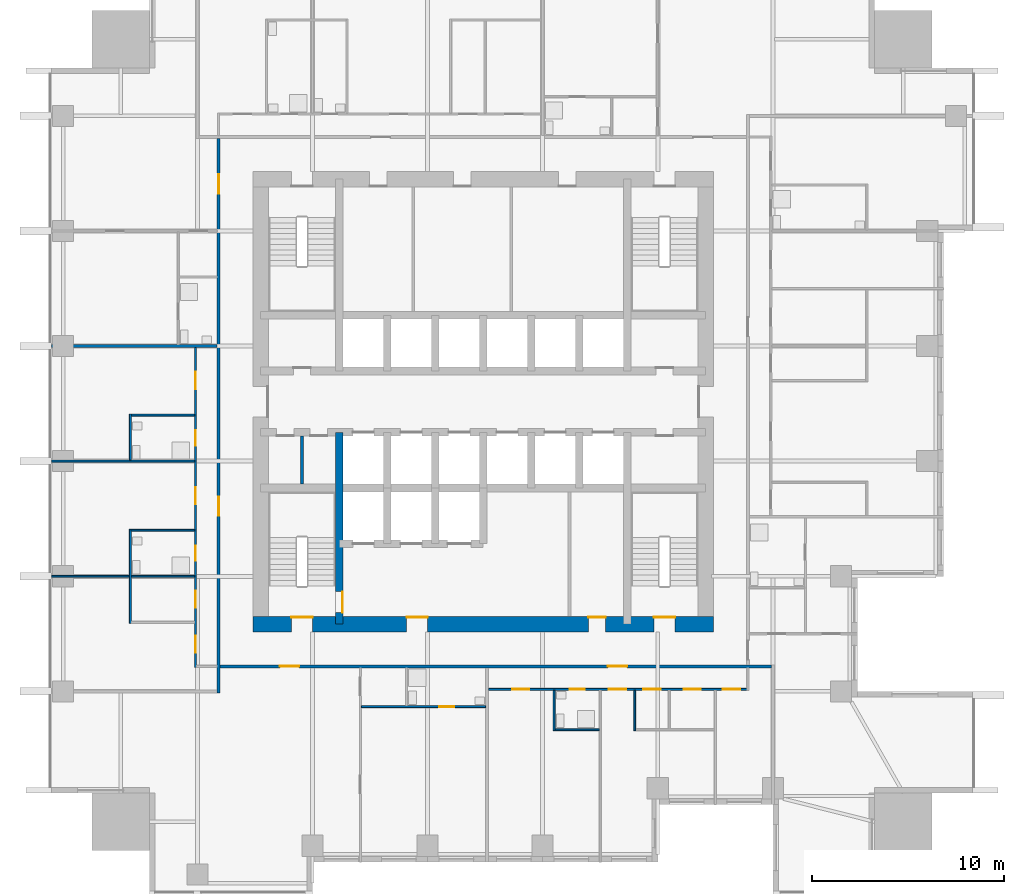
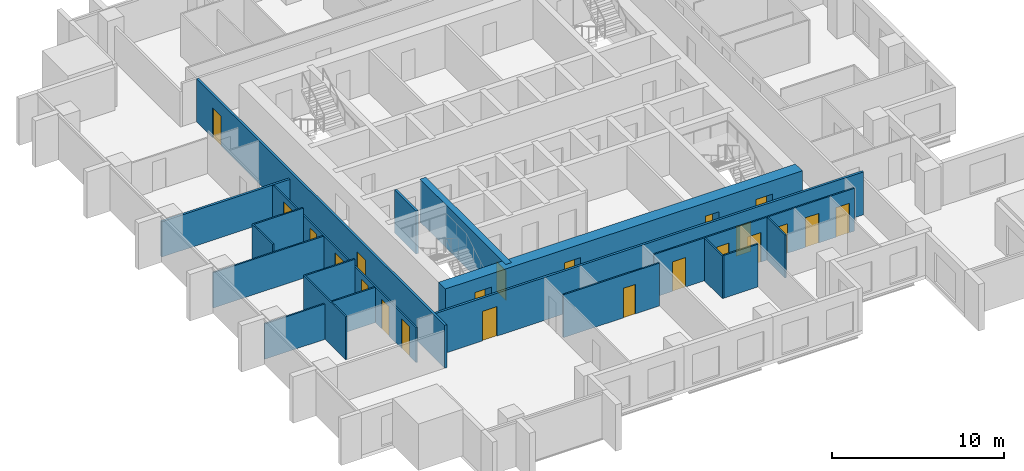
# One storey, part 4 of 10: 22 doors, 18 walls, 22 openings.
"""IFC4 building model written with IfcOpenShell, lengths in metres."""

from ifc_helpers import new_model, si_unit, direction, frame, frame_2d, origin, place, context, subcontext, project, spatial, rectangle, extrude, material, layer, layer_set, type_object, element, fill, save


model = new_model("IFC4")

# Units and contexts
model_context = context("Model", 3, precision=1e-05, world=origin(), true_north=direction((0.0, 1.0)))
body_context = subcontext(model_context, "Body", "Model", "MODEL_VIEW")
ifc_project = project(units=[si_unit("LENGTHUNIT", "METRE"), si_unit("AREAUNIT", "SQUARE_METRE"), si_unit("VOLUMEUNIT", "CUBIC_METRE"), si_unit("PLANEANGLEUNIT", "RADIAN"), si_unit("MASSUNIT", "GRAM", prefix="KILO")], contexts=[model_context])

# Site, building, storey
site_placement = place(None, origin())
site = spatial("IfcSite", under=ifc_project, at=site_placement, CompositionType="ELEMENT")
building_placement = place(site_placement, origin())
building = spatial("IfcBuilding", under=site, at=building_placement, Name="Amberfall Residences", CompositionType="ELEMENT")
storey_placement = place(building_placement, frame((0.0, 0.0, 82.0)))
storey = spatial("IfcBuildingStorey", under=building, at=storey_placement, Name="L21", CompositionType="ELEMENT", Elevation=82.0)

# Wall, opening, door
ifc_material_1 = material(Name="Concrete C70", Category="concrete")
ifc_layer_1 = layer(ifc_material_1, 0.39990234375)
ifc_layer_set_1 = layer_set([ifc_layer_1], Name="Core wall 400 C70")
wall_type_1 = type_object("IfcWallType", Name="Core wall 400 C70", PredefinedType="SHEAR", material=ifc_layer_set_1)
wall_1_placement = place(storey_placement, frame((67.0, 33.89990234375, 0.0), z_axis=(0.0, 0.0, 1.0), x_axis=(0.0, 1.0, 0.0)))
wall_1 = element("IfcWall", 1, at=wall_1_placement, inside=storey, type_object=wall_type_1, Name="Core wall RW4 L21 V45S", PredefinedType="SHEAR", context=body_context, shape_type="SweptSolid", body=[
    extrude(rectangle(XDim=10.0, YDim=0.39990234375, at=frame_2d((5.0, 0.0))), origin(), (0.0, 0.0, 1.0), 3.050048828125),
])
opening_1_placement = place(wall_1_placement, frame((0.60009765625, 0.0, 0.0)))
opening_1 = element("IfcOpeningElement", 2, at=opening_1_placement, cuts=wall_1, Name="Opening FL1", PredefinedType="OPENING", context=body_context, shape_type="SweptSolid", body=[
    extrude(rectangle(XDim=1.10009765625, YDim=2.10009765625, at=frame_2d((0.550048828125, 1.050048828125))), frame((0.0, 0.2099609375, 0.0), z_axis=(0.0, -1.0, 0.0), x_axis=(1.0, 0.0, 0.0)), (0.0, 0.0, 1.0), 0.419921875),
])
ifc_material_2 = material(Name="Steel fire door set", Category="steel")
door_type_1 = type_object("IfcDoorType", Name="Firefighting lobby door 1100 x 2100", OperationType="SINGLE_SWING_LEFT", PredefinedType="DOOR", material=ifc_material_2)
door_1_placement = place(opening_1_placement, origin())
door_1 = element("IfcDoor", 3, at=door_1_placement, inside=storey, type_object=door_type_1, Name="FL1 L21", OperationType="SINGLE_SWING_RIGHT", OverallHeight=2.10009765625, OverallWidth=1.10009765625, PredefinedType="DOOR", context=body_context, shape_type="SweptSolid", body=[
    extrude(rectangle(XDim=1.10009765625, YDim=2.10009765625, at=frame_2d((0.550048828125, 1.050048828125))), frame((0.0, -0.1376953125, 0.0), z_axis=(0.0, -1.0, 0.0), x_axis=(1.0, 0.0, 0.0)), (0.0, 0.0, 1.0), 0.050048828125),
])
fill(opening_1, door_1)

# Wall, openings, doors
ifc_layer_2 = layer(ifc_material_1, 0.800048828125)
ifc_layer_set_2 = layer_set([ifc_layer_2], Name="Core wall 800 C70")
wall_type_2 = type_object("IfcWallType", Name="Core wall 800 C70", PredefinedType="SHEAR", material=ifc_layer_set_2)
wall_2_placement = place(storey_placement, frame((62.5, 33.89990234375, 0.0), z_axis=(0.0, 0.0, 1.0), x_axis=(1.0, 0.0, 0.0)))
wall_2 = element("IfcWall", 4, at=wall_2_placement, inside=storey, type_object=wall_type_2, Name="Core wall RW3 L21 OS", PredefinedType="SHEAR", context=body_context, shape_type="SweptSolid", body=[
    extrude(rectangle(XDim=24.0, YDim=0.800048828125, at=frame_2d((12.0, 0.0))), origin(), (0.0, 0.0, 1.0), 3.050048828125),
])
opening_2_placement = place(wall_2_placement, frame((2.0, 0.0, 0.0)))
opening_2 = element("IfcOpeningElement", 5, at=opening_2_placement, cuts=wall_2, Name="Opening SD1", PredefinedType="OPENING", context=body_context, shape_type="SweptSolid", body=[
    extrude(rectangle(XDim=1.10009765625, YDim=2.10009765625, at=frame_2d((0.550048828125, 1.050048828125))), frame((0.0, 0.409912109375, 0.0), z_axis=(0.0, -1.0, 0.0), x_axis=(1.0, 0.0, 0.0)), (0.0, 0.0, 1.0), 0.820068359375),
])
opening_3_placement = place(wall_2_placement, frame((20.89990234375, 0.0, 0.0)))
opening_3 = element("IfcOpeningElement", 6, at=opening_3_placement, cuts=wall_2, Name="Opening SD1", PredefinedType="OPENING", context=body_context, shape_type="SweptSolid", body=[
    extrude(rectangle(XDim=1.10009765625, YDim=2.10009765625, at=frame_2d((0.550048828125, 1.050048828125))), frame((0.0, 0.409912109375, 0.0), z_axis=(0.0, -1.0, 0.0), x_axis=(1.0, 0.0, 0.0)), (0.0, 0.0, 1.0), 0.820068359375),
])
opening_4_placement = place(wall_2_placement, frame((8.0, 0.0, 0.0)))
opening_4 = element("IfcOpeningElement", 7, at=opening_4_placement, cuts=wall_2, Name="Opening FL1", PredefinedType="OPENING", context=body_context, shape_type="SweptSolid", body=[
    extrude(rectangle(XDim=1.10009765625, YDim=2.10009765625, at=frame_2d((0.550048828125, 1.050048828125))), frame((0.0, 0.409912109375, 0.0), z_axis=(0.0, -1.0, 0.0), x_axis=(1.0, 0.0, 0.0)), (0.0, 0.0, 1.0), 0.820068359375),
])
opening_5_placement = place(wall_2_placement, frame((17.487548828125, 0.0, 0.0)))
opening_5 = element("IfcOpeningElement", 8, at=opening_5_placement, cuts=wall_2, Name="Opening RD1", PredefinedType="OPENING", context=body_context, shape_type="SweptSolid", body=[
    extrude(rectangle(XDim=0.89990234375, YDim=2.10009765625, at=frame_2d((0.449951171875, 1.050048828125))), frame((0.0, 0.409912109375, 0.0), z_axis=(0.0, -1.0, 0.0), x_axis=(1.0, 0.0, 0.0)), (0.0, 0.0, 1.0), 0.820068359375),
])
door_2_placement = place(opening_4_placement, origin())
door_2 = element("IfcDoor", 9, at=door_2_placement, inside=storey, type_object=door_type_1, Name="FL1 L21", OperationType="SINGLE_SWING_LEFT", OverallHeight=2.10009765625, OverallWidth=1.10009765625, PredefinedType="DOOR", context=body_context, shape_type="SweptSolid", body=[
    extrude(rectangle(XDim=1.10009765625, YDim=2.10009765625, at=frame_2d((0.550048828125, 1.050048828125))), frame((0.0, 0.3876953125, 0.0), z_axis=(0.0, -1.0, 0.0), x_axis=(1.0, 0.0, 0.0)), (0.0, 0.0, 1.0), 0.050048828125),
])
fill(opening_4, door_2)
door_type_2 = type_object("IfcDoorType", Name="Service room door 900 x 2100", OperationType="SINGLE_SWING_LEFT", PredefinedType="DOOR", material=ifc_material_2)
door_3_placement = place(opening_5_placement, origin())
door_3 = element("IfcDoor", 10, at=door_3_placement, inside=storey, type_object=door_type_2, Name="RD1 L21", OperationType="SINGLE_SWING_LEFT", OverallHeight=2.10009765625, OverallWidth=0.89990234375, PredefinedType="DOOR", context=body_context, shape_type="SweptSolid", body=[
    extrude(rectangle(XDim=0.89990234375, YDim=2.10009765625, at=frame_2d((0.449951171875, 1.050048828125))), frame((0.0, 0.3876953125, 0.0), z_axis=(0.0, -1.0, 0.0), x_axis=(1.0, 0.0, 0.0)), (0.0, 0.0, 1.0), 0.050048828125),
])
fill(opening_5, door_3)
door_type_3 = type_object("IfcDoorType", Name="Stair door 1100 x 2100", OperationType="SINGLE_SWING_LEFT", PredefinedType="DOOR", material=ifc_material_2)
door_4_placement = place(opening_2_placement, origin())
door_4 = element("IfcDoor", 11, at=door_4_placement, inside=storey, type_object=door_type_3, Name="SD1 L21", OperationType="SINGLE_SWING_LEFT", OverallHeight=2.10009765625, OverallWidth=1.10009765625, PredefinedType="DOOR", context=body_context, shape_type="SweptSolid", body=[
    extrude(rectangle(XDim=1.10009765625, YDim=2.10009765625, at=frame_2d((0.550048828125, 1.050048828125))), frame((0.0, 0.3876953125, 0.0), z_axis=(0.0, -1.0, 0.0), x_axis=(1.0, 0.0, 0.0)), (0.0, 0.0, 1.0), 0.050048828125),
])
fill(opening_2, door_4)
door_5_placement = place(opening_3_placement, origin())
door_5 = element("IfcDoor", 12, at=door_5_placement, inside=storey, type_object=door_type_3, Name="SD1 L21", OperationType="SINGLE_SWING_RIGHT", OverallHeight=2.10009765625, OverallWidth=1.10009765625, PredefinedType="DOOR", context=body_context, shape_type="SweptSolid", body=[
    extrude(rectangle(XDim=1.10009765625, YDim=2.10009765625, at=frame_2d((0.550048828125, 1.050048828125))), frame((0.0, 0.3876953125, 0.0), z_axis=(0.0, -1.0, 0.0), x_axis=(1.0, 0.0, 0.0)), (0.0, 0.0, 1.0), 0.050048828125),
])
fill(opening_3, door_5)

# Walls
ifc_material_3 = material(Name="Gypsum board on metal stud")
ifc_layer_3 = layer(ifc_material_3, 0.10009765625)
ifc_layer_set_3 = layer_set([ifc_layer_3], Name="Flat partition 100")
wall_type_3 = type_object("IfcWallType", Name="Flat partition 100", PredefinedType="PARTITIONING", material=ifc_layer_set_3)
wall_3_placement = place(storey_placement, frame((56.10009765625, 33.949951171875, 0.0), z_axis=(0.0, 0.0, 1.0), x_axis=(0.0, 1.0, 0.0)))
element("IfcWall", 13, at=wall_3_placement, inside=storey, type_object=wall_type_3, Name="Partition 001", PredefinedType="PARTITIONING", context=body_context, shape_type="SweptSolid", body=[
    extrude(rectangle(XDim=4.900146484375, YDim=0.10009765625, at=frame_2d((2.4501953125, 0.0))), origin(), (0.0, 0.0, 1.0), 3.050048828125),
])
wall_4_placement = place(storey_placement, frame((56.10009765625, 42.449951171875, 0.0), z_axis=(0.0, 0.0, 1.0), x_axis=(0.0, 1.0, 0.0)))
element("IfcWall", 14, at=wall_4_placement, inside=storey, type_object=wall_type_3, Name="Partition 002", PredefinedType="PARTITIONING", context=body_context, shape_type="SweptSolid", body=[
    extrude(rectangle(XDim=2.400146484375, YDim=0.10009765625, at=frame_2d((1.2001953125, 0.0))), origin(), (0.0, 0.0, 1.0), 3.050048828125),
])

# Wall, openings, doors
wall_5_placement = place(storey_placement, frame((59.5, 31.64990234375, 0.0), z_axis=(0.0, 0.0, 1.0), x_axis=(0.0, 1.0, 0.0)))
wall_5 = element("IfcWall", 15, at=wall_5_placement, inside=storey, type_object=wall_type_3, Name="Partition 004", PredefinedType="PARTITIONING", context=body_context, shape_type="SweptSolid", body=[
    extrude(rectangle(XDim=16.675048828125, YDim=0.10009765625, at=frame_2d((8.33740234375, 0.0))), origin(), (0.0, 0.0, 1.0), 2.510009765625),
])
opening_6_placement = place(wall_5_placement, frame((0.75, 0.0, 0.0)))
opening_6 = element("IfcOpeningElement", 16, at=opening_6_placement, cuts=wall_5, Name="Opening D41", PredefinedType="OPENING", context=body_context, shape_type="SweptSolid", body=[
    extrude(rectangle(XDim=0.89990234375, YDim=2.10009765625, at=frame_2d((0.449951171875, 1.050048828125))), frame((0.0, 0.06005859375, 0.0), z_axis=(0.0, -1.0, 0.0), x_axis=(1.0, 0.0, 0.0)), (0.0, 0.0, 1.0), 0.1201171875),
])
opening_7_placement = place(wall_5_placement, frame((3.10009765625, 0.0, 0.0)))
opening_7 = element("IfcOpeningElement", 17, at=opening_7_placement, cuts=wall_5, Name="Opening D41", PredefinedType="OPENING", context=body_context, shape_type="SweptSolid", body=[
    extrude(rectangle(XDim=0.89990234375, YDim=2.10009765625, at=frame_2d((0.449951171875, 1.050048828125))), frame((0.0, 0.06005859375, 0.0), z_axis=(0.0, -1.0, 0.0), x_axis=(1.0, 0.0, 0.0)), (0.0, 0.0, 1.0), 0.1201171875),
])
opening_8_placement = place(wall_5_placement, frame((8.5, 0.0, 0.0)))
opening_8 = element("IfcOpeningElement", 18, at=opening_8_placement, cuts=wall_5, Name="Opening D41", PredefinedType="OPENING", context=body_context, shape_type="SweptSolid", body=[
    extrude(rectangle(XDim=0.89990234375, YDim=2.10009765625, at=frame_2d((0.449951171875, 1.050048828125))), frame((0.0, 0.06005859375, 0.0), z_axis=(0.0, -1.0, 0.0), x_axis=(1.0, 0.0, 0.0)), (0.0, 0.0, 1.0), 0.1201171875),
])
opening_9_placement = place(wall_5_placement, frame((14.5, 0.0, 0.0)))
opening_9 = element("IfcOpeningElement", 19, at=opening_9_placement, cuts=wall_5, Name="Opening D41", PredefinedType="OPENING", context=body_context, shape_type="SweptSolid", body=[
    extrude(rectangle(XDim=0.89990234375, YDim=2.10009765625, at=frame_2d((0.449951171875, 1.050048828125))), frame((0.0, 0.06005859375, 0.0), z_axis=(0.0, -1.0, 0.0), x_axis=(1.0, 0.0, 0.0)), (0.0, 0.0, 1.0), 0.1201171875),
])
opening_10_placement = place(wall_5_placement, frame((5.550048828125, 0.0, 0.0)))
opening_10 = element("IfcOpeningElement", 20, at=opening_10_placement, cuts=wall_5, Name="Opening D42", PredefinedType="OPENING", context=body_context, shape_type="SweptSolid", body=[
    extrude(rectangle(XDim=0.800048828125, YDim=2.10009765625, at=frame_2d((0.39990234375, 1.050048828125))), frame((0.0, 0.06005859375, 0.0), z_axis=(0.0, -1.0, 0.0), x_axis=(1.0, 0.0, 0.0)), (0.0, 0.0, 1.0), 0.1201171875),
])
opening_11_placement = place(wall_5_placement, frame((11.550048828125, 0.0, 0.0)))
opening_11 = element("IfcOpeningElement", 21, at=opening_11_placement, cuts=wall_5, Name="Opening D42", PredefinedType="OPENING", context=body_context, shape_type="SweptSolid", body=[
    extrude(rectangle(XDim=0.800048828125, YDim=2.10009765625, at=frame_2d((0.39990234375, 1.050048828125))), frame((0.0, 0.06005859375, 0.0), z_axis=(0.0, -1.0, 0.0), x_axis=(1.0, 0.0, 0.0)), (0.0, 0.0, 1.0), 0.1201171875),
])
ifc_material_4 = material(Name="Timber", Category="wood")
door_type_4 = type_object("IfcDoorType", Name="Bathroom door 800 x 2100", OperationType="SINGLE_SWING_LEFT", PredefinedType="DOOR", material=ifc_material_4)
door_6_placement = place(opening_10_placement, origin())
door_6 = element("IfcDoor", 22, at=door_6_placement, inside=storey, type_object=door_type_4, Name="Door 2107 bath1", OperationType="SINGLE_SWING_LEFT", OverallHeight=2.10009765625, OverallWidth=0.800048828125, PredefinedType="DOOR", context=body_context, shape_type="SweptSolid", body=[
    extrude(rectangle(XDim=0.800048828125, YDim=2.10009765625, at=frame_2d((0.39990234375, 1.050048828125))), frame((0.0, 0.02490234375, 0.0), z_axis=(0.0, -1.0, 0.0), x_axis=(1.0, 0.0, 0.0)), (0.0, 0.0, 1.0), 0.050048828125),
])
fill(opening_10, door_6)
door_7_placement = place(opening_11_placement, origin())
door_7 = element("IfcDoor", 23, at=door_7_placement, inside=storey, type_object=door_type_4, Name="Door 2107 bath2", OperationType="SINGLE_SWING_LEFT", OverallHeight=2.10009765625, OverallWidth=0.800048828125, PredefinedType="DOOR", context=body_context, shape_type="SweptSolid", body=[
    extrude(rectangle(XDim=0.800048828125, YDim=2.10009765625, at=frame_2d((0.39990234375, 1.050048828125))), frame((0.0, 0.02490234375, 0.0), z_axis=(0.0, -1.0, 0.0), x_axis=(1.0, 0.0, 0.0)), (0.0, 0.0, 1.0), 0.050048828125),
])
fill(opening_11, door_7)
door_type_5 = type_object("IfcDoorType", Name="Internal door 900 x 2100", OperationType="SINGLE_SWING_LEFT", PredefinedType="DOOR", material=ifc_material_4)
door_8_placement = place(opening_6_placement, origin())
door_8 = element("IfcDoor", 24, at=door_8_placement, inside=storey, type_object=door_type_5, Name="Door 2107 living", OperationType="SINGLE_SWING_LEFT", OverallHeight=2.10009765625, OverallWidth=0.89990234375, PredefinedType="DOOR", context=body_context, shape_type="SweptSolid", body=[
    extrude(rectangle(XDim=0.89990234375, YDim=2.10009765625, at=frame_2d((0.449951171875, 1.050048828125))), frame((0.0, 0.02490234375, 0.0), z_axis=(0.0, -1.0, 0.0), x_axis=(1.0, 0.0, 0.0)), (0.0, 0.0, 1.0), 0.050048828125),
])
fill(opening_6, door_8)
door_9_placement = place(opening_7_placement, origin())
door_9 = element("IfcDoor", 25, at=door_9_placement, inside=storey, type_object=door_type_5, Name="Door 2107 kitchen", OperationType="SINGLE_SWING_LEFT", OverallHeight=2.10009765625, OverallWidth=0.89990234375, PredefinedType="DOOR", context=body_context, shape_type="SweptSolid", body=[
    extrude(rectangle(XDim=0.89990234375, YDim=2.10009765625, at=frame_2d((0.449951171875, 1.050048828125))), frame((0.0, 0.02490234375, 0.0), z_axis=(0.0, -1.0, 0.0), x_axis=(1.0, 0.0, 0.0)), (0.0, 0.0, 1.0), 0.050048828125),
])
fill(opening_7, door_9)
door_10_placement = place(opening_8_placement, origin())
door_10 = element("IfcDoor", 26, at=door_10_placement, inside=storey, type_object=door_type_5, Name="Door 2107 bedroom1", OperationType="SINGLE_SWING_LEFT", OverallHeight=2.10009765625, OverallWidth=0.89990234375, PredefinedType="DOOR", context=body_context, shape_type="SweptSolid", body=[
    extrude(rectangle(XDim=0.89990234375, YDim=2.10009765625, at=frame_2d((0.449951171875, 1.050048828125))), frame((0.0, 0.02490234375, 0.0), z_axis=(0.0, -1.0, 0.0), x_axis=(1.0, 0.0, 0.0)), (0.0, 0.0, 1.0), 0.050048828125),
])
fill(opening_8, door_10)
door_11_placement = place(opening_9_placement, origin())
door_11 = element("IfcDoor", 27, at=door_11_placement, inside=storey, type_object=door_type_5, Name="Door 2107 bedroom2", OperationType="SINGLE_SWING_LEFT", OverallHeight=2.10009765625, OverallWidth=0.89990234375, PredefinedType="DOOR", context=body_context, shape_type="SweptSolid", body=[
    extrude(rectangle(XDim=0.89990234375, YDim=2.10009765625, at=frame_2d((0.449951171875, 1.050048828125))), frame((0.0, 0.02490234375, 0.0), z_axis=(0.0, -1.0, 0.0), x_axis=(1.0, 0.0, 0.0)), (0.0, 0.0, 1.0), 0.050048828125),
])
fill(opening_9, door_11)

# Walls
for number, where, z_axis, x_axis, name in (
    (28, (78.199951171875, 28.35009765625, 0.0), (0.0, 0.0, 1.0), (0.0, 1.0, 0.0), "Partition 013"),
    (29, (82.39990234375, 28.35009765625, 0.0), (0.0, 0.0, 1.0), (0.0, 1.0, 0.0), "Partition 016"),
):
    element("IfcWall", number, at=place(storey_placement, frame(where, z_axis=z_axis, x_axis=x_axis)), inside=storey, type_object=wall_type_3, Name=name, PredefinedType="PARTITIONING", context=body_context, shape_type="SweptSolid", body=[
        extrude(rectangle(XDim=2.099853515625, YDim=0.10009765625, at=frame_2d((1.0498046875, 0.0))), origin(), (0.0, 0.0, 1.0), 3.050048828125),
    ])
wall_6_placement = place(storey_placement, frame((56.14990234375, 44.800048828125, 0.0), z_axis=(0.0, 0.0, 1.0), x_axis=(1.0, 0.0, 0.0)))
element("IfcWall", 30, at=wall_6_placement, inside=storey, type_object=wall_type_3, Name="Partition 038", PredefinedType="PARTITIONING", context=body_context, shape_type="SweptSolid", body=[
    extrude(rectangle(XDim=3.300048828125, YDim=0.10009765625, at=frame_2d((1.64990234375, 0.0))), origin(), (0.0, 0.0, 1.0), 3.050048828125),
])
wall_7_placement = place(storey_placement, frame((52.0, 42.39990234375, 0.0), z_axis=(0.0, 0.0, 1.0), x_axis=(1.0, 0.0, 0.0)))
element("IfcWall", 31, at=wall_7_placement, inside=storey, type_object=wall_type_3, Name="Partition 039", PredefinedType="PARTITIONING", context=body_context, shape_type="SweptSolid", body=[
    extrude(rectangle(XDim=7.449951171875, YDim=0.10009765625, at=frame_2d((3.72509765625, 0.0))), origin(), (0.0, 0.0, 1.0), 2.51611328125),
])
wall_8_placement = place(storey_placement, frame((56.14990234375, 38.800048828125, 0.0), z_axis=(0.0, 0.0, 1.0), x_axis=(1.0, 0.0, 0.0)))
element("IfcWall", 32, at=wall_8_placement, inside=storey, type_object=wall_type_3, Name="Partition 041", PredefinedType="PARTITIONING", context=body_context, shape_type="SweptSolid", body=[
    extrude(rectangle(XDim=3.300048828125, YDim=0.10009765625, at=frame_2d((1.64990234375, 0.0))), origin(), (0.0, 0.0, 1.0), 3.050048828125),
])
wall_9_placement = place(storey_placement, frame((52.0, 36.39990234375, 0.0), z_axis=(0.0, 0.0, 1.0), x_axis=(1.0, 0.0, 0.0)))
element("IfcWall", 33, at=wall_9_placement, inside=storey, type_object=wall_type_3, Name="Partition 042", PredefinedType="PARTITIONING", context=body_context, shape_type="SweptSolid", body=[
    extrude(rectangle(XDim=7.449951171875, YDim=0.10009765625, at=frame_2d((3.72509765625, 0.0))), origin(), (0.0, 0.0, 1.0), 2.51611328125),
])

# Wall, openings, doors
wall_10_placement = place(storey_placement, frame((88.25, 30.5, 0.0), z_axis=(0.0, 0.0, 1.0), x_axis=(-1.0, 0.0, 0.0)))
wall_10 = element("IfcWall", 34, at=wall_10_placement, inside=storey, type_object=wall_type_3, Name="Partition 047", PredefinedType="PARTITIONING", context=body_context, shape_type="SweptSolid", body=[
    extrude(rectangle(XDim=13.47509765625, YDim=0.10009765625, at=frame_2d((6.737548828125, 0.0))), origin(), (0.0, 0.0, 1.0), 3.050048828125),
])
opening_12_placement = place(wall_10_placement, frame((6.300048828125, 0.0, 0.0)))
opening_12 = element("IfcOpeningElement", 35, at=opening_12_placement, cuts=wall_10, Name="Opening D41", PredefinedType="OPENING", context=body_context, shape_type="SweptSolid", body=[
    extrude(rectangle(XDim=0.89990234375, YDim=2.10009765625, at=frame_2d((0.449951171875, 1.050048828125))), frame((0.0, 0.06005859375, 0.0), z_axis=(0.0, -1.0, 0.0), x_axis=(1.0, 0.0, 0.0)), (0.0, 0.0, 1.0), 0.1201171875),
])
opening_13_placement = place(wall_10_placement, frame((2.39990234375, 0.0, 0.0)))
opening_13 = element("IfcOpeningElement", 36, at=opening_13_placement, cuts=wall_10, Name="Opening D41", PredefinedType="OPENING", context=body_context, shape_type="SweptSolid", body=[
    extrude(rectangle(XDim=0.89990234375, YDim=2.10009765625, at=frame_2d((0.449951171875, 1.050048828125))), frame((0.0, 0.06005859375, 0.0), z_axis=(0.0, -1.0, 0.0), x_axis=(1.0, 0.0, 0.0)), (0.0, 0.0, 1.0), 0.1201171875),
])
opening_14_placement = place(wall_10_placement, frame((4.5, 0.0, 0.0)))
opening_14 = element("IfcOpeningElement", 37, at=opening_14_placement, cuts=wall_10, Name="Opening D41", PredefinedType="OPENING", context=body_context, shape_type="SweptSolid", body=[
    extrude(rectangle(XDim=0.89990234375, YDim=2.10009765625, at=frame_2d((0.449951171875, 1.050048828125))), frame((0.0, 0.06005859375, 0.0), z_axis=(0.0, -1.0, 0.0), x_axis=(1.0, 0.0, 0.0)), (0.0, 0.0, 1.0), 0.1201171875),
])
opening_15_placement = place(wall_10_placement, frame((11.35009765625, 0.0, 0.0)))
opening_15 = element("IfcOpeningElement", 38, at=opening_15_placement, cuts=wall_10, Name="Opening D41", PredefinedType="OPENING", context=body_context, shape_type="SweptSolid", body=[
    extrude(rectangle(XDim=0.89990234375, YDim=2.10009765625, at=frame_2d((0.449951171875, 1.050048828125))), frame((0.0, 0.06005859375, 0.0), z_axis=(0.0, -1.0, 0.0), x_axis=(1.0, 0.0, 0.0)), (0.0, 0.0, 1.0), 0.1201171875),
])
opening_16_placement = place(wall_10_placement, frame((0.35009765625, 0.0, 0.0)))
opening_16 = element("IfcOpeningElement", 39, at=opening_16_placement, cuts=wall_10, Name="Opening D41", PredefinedType="OPENING", context=body_context, shape_type="SweptSolid", body=[
    extrude(rectangle(XDim=0.89990234375, YDim=2.10009765625, at=frame_2d((0.449951171875, 1.050048828125))), frame((0.0, 0.06005859375, 0.0), z_axis=(0.0, -1.0, 0.0), x_axis=(1.0, 0.0, 0.0)), (0.0, 0.0, 1.0), 0.1201171875),
])
opening_17_placement = place(wall_10_placement, frame((8.449951171875, 0.0, 0.0)))
opening_17 = element("IfcOpeningElement", 40, at=opening_17_placement, cuts=wall_10, Name="Opening D42", PredefinedType="OPENING", context=body_context, shape_type="SweptSolid", body=[
    extrude(rectangle(XDim=0.800048828125, YDim=2.10009765625, at=frame_2d((0.39990234375, 1.050048828125))), frame((0.0, 0.06005859375, 0.0), z_axis=(0.0, -1.0, 0.0), x_axis=(1.0, 0.0, 0.0)), (0.0, 0.0, 1.0), 0.1201171875),
])
door_12_placement = place(opening_17_placement, origin())
door_12 = element("IfcDoor", 41, at=door_12_placement, inside=storey, type_object=door_type_4, Name="Door 2102 bath1", OperationType="SINGLE_SWING_LEFT", OverallHeight=2.10009765625, OverallWidth=0.800048828125, PredefinedType="DOOR", context=body_context, shape_type="SweptSolid", body=[
    extrude(rectangle(XDim=0.800048828125, YDim=2.10009765625, at=frame_2d((0.39990234375, 1.050048828125))), frame((0.0, 0.02490234375, 0.0), z_axis=(0.0, -1.0, 0.0), x_axis=(1.0, 0.0, 0.0)), (0.0, 0.0, 1.0), 0.050048828125),
])
fill(opening_17, door_12)
door_13_placement = place(opening_12_placement, origin())
door_13 = element("IfcDoor", 42, at=door_13_placement, inside=storey, type_object=door_type_5, Name="Door 2102 living", OperationType="SINGLE_SWING_LEFT", OverallHeight=2.10009765625, OverallWidth=0.89990234375, PredefinedType="DOOR", context=body_context, shape_type="SweptSolid", body=[
    extrude(rectangle(XDim=0.89990234375, YDim=2.10009765625, at=frame_2d((0.449951171875, 1.050048828125))), frame((0.0, 0.02490234375, 0.0), z_axis=(0.0, -1.0, 0.0), x_axis=(1.0, 0.0, 0.0)), (0.0, 0.0, 1.0), 0.050048828125),
])
fill(opening_12, door_13)
door_14_placement = place(opening_13_placement, origin())
door_14 = element("IfcDoor", 43, at=door_14_placement, inside=storey, type_object=door_type_5, Name="Door 2102 kitchen", OperationType="SINGLE_SWING_LEFT", OverallHeight=2.10009765625, OverallWidth=0.89990234375, PredefinedType="DOOR", context=body_context, shape_type="SweptSolid", body=[
    extrude(rectangle(XDim=0.89990234375, YDim=2.10009765625, at=frame_2d((0.449951171875, 1.050048828125))), frame((0.0, 0.02490234375, 0.0), z_axis=(0.0, -1.0, 0.0), x_axis=(1.0, 0.0, 0.0)), (0.0, 0.0, 1.0), 0.050048828125),
])
fill(opening_13, door_14)
door_15_placement = place(opening_14_placement, origin())
door_15 = element("IfcDoor", 44, at=door_15_placement, inside=storey, type_object=door_type_5, Name="Door 2102 utility", OperationType="SINGLE_SWING_LEFT", OverallHeight=2.10009765625, OverallWidth=0.89990234375, PredefinedType="DOOR", context=body_context, shape_type="SweptSolid", body=[
    extrude(rectangle(XDim=0.89990234375, YDim=2.10009765625, at=frame_2d((0.449951171875, 1.050048828125))), frame((0.0, 0.02490234375, 0.0), z_axis=(0.0, -1.0, 0.0), x_axis=(1.0, 0.0, 0.0)), (0.0, 0.0, 1.0), 0.050048828125),
])
fill(opening_14, door_15)
door_16_placement = place(opening_15_placement, origin())
door_16 = element("IfcDoor", 45, at=door_16_placement, inside=storey, type_object=door_type_5, Name="Door 2102 bedroom1", OperationType="SINGLE_SWING_LEFT", OverallHeight=2.10009765625, OverallWidth=0.89990234375, PredefinedType="DOOR", context=body_context, shape_type="SweptSolid", body=[
    extrude(rectangle(XDim=0.89990234375, YDim=2.10009765625, at=frame_2d((0.449951171875, 1.050048828125))), frame((0.0, 0.02490234375, 0.0), z_axis=(0.0, -1.0, 0.0), x_axis=(1.0, 0.0, 0.0)), (0.0, 0.0, 1.0), 0.050048828125),
])
fill(opening_15, door_16)
door_17_placement = place(opening_16_placement, origin())
door_17 = element("IfcDoor", 46, at=door_17_placement, inside=storey, type_object=door_type_5, Name="Door 2102 bedroom2", OperationType="SINGLE_SWING_LEFT", OverallHeight=2.10009765625, OverallWidth=0.89990234375, PredefinedType="DOOR", context=body_context, shape_type="SweptSolid", body=[
    extrude(rectangle(XDim=0.89990234375, YDim=2.10009765625, at=frame_2d((0.449951171875, 1.050048828125))), frame((0.0, 0.02490234375, 0.0), z_axis=(0.0, -1.0, 0.0), x_axis=(1.0, 0.0, 0.0)), (0.0, 0.0, 1.0), 0.050048828125),
])
fill(opening_16, door_17)

# Wall, opening, door
wall_11_placement = place(storey_placement, frame((68.14990234375, 29.60009765625, 0.0), z_axis=(0.0, 0.0, 1.0), x_axis=(1.0, 0.0, 0.0)))
wall_11 = element("IfcWall", 47, at=wall_11_placement, inside=storey, type_object=wall_type_3, Name="Partition 048", PredefinedType="PARTITIONING", context=body_context, shape_type="SweptSolid", body=[
    extrude(rectangle(XDim=6.47509765625, YDim=0.10009765625, at=frame_2d((3.237548828125, 0.0))), origin(), (0.0, 0.0, 1.0), 3.050048828125),
])
opening_18_placement = place(wall_11_placement, frame((4.050048828125, 0.0, 0.0)))
opening_18 = element("IfcOpeningElement", 48, at=opening_18_placement, cuts=wall_11, Name="Opening D42", PredefinedType="OPENING", context=body_context, shape_type="SweptSolid", body=[
    extrude(rectangle(XDim=0.800048828125, YDim=2.10009765625, at=frame_2d((0.39990234375, 1.050048828125))), frame((0.0, 0.06005859375, 0.0), z_axis=(0.0, -1.0, 0.0), x_axis=(1.0, 0.0, 0.0)), (0.0, 0.0, 1.0), 0.1201171875),
])
door_18_placement = place(opening_18_placement, origin())
door_18 = element("IfcDoor", 49, at=door_18_placement, inside=storey, type_object=door_type_4, Name="Door 2101 bath1", OperationType="SINGLE_SWING_LEFT", OverallHeight=2.10009765625, OverallWidth=0.800048828125, PredefinedType="DOOR", context=body_context, shape_type="SweptSolid", body=[
    extrude(rectangle(XDim=0.800048828125, YDim=2.10009765625, at=frame_2d((0.39990234375, 1.050048828125))), frame((0.0, 0.02490234375, 0.0), z_axis=(0.0, -1.0, 0.0), x_axis=(1.0, 0.0, 0.0)), (0.0, 0.0, 1.0), 0.050048828125),
])
fill(opening_18, door_18)

# Wall
wall_12_placement = place(storey_placement, frame((78.25, 28.39990234375, 0.0), z_axis=(0.0, 0.0, 1.0), x_axis=(1.0, 0.0, 0.0)))
element("IfcWall", 50, at=wall_12_placement, inside=storey, type_object=wall_type_3, Name="Partition 049", PredefinedType="PARTITIONING", context=body_context, shape_type="SweptSolid", body=[
    extrude(rectangle(XDim=2.300048828125, YDim=0.10009765625, at=frame_2d((1.14990234375, 0.0))), origin(), (0.0, 0.0, 1.0), 3.050048828125),
])

# Wall, openings, doors
ifc_material_5 = material(Name="Blockwork, plastered", Category="masonry")
ifc_layer_4 = layer(ifc_material_5, 0.14990234375)
ifc_layer_set_4 = layer_set([ifc_layer_4], Name="Flat separating wall 150")
wall_type_4 = type_object("IfcWallType", Name="Flat separating wall 150", PredefinedType="PARTITIONING", material=ifc_layer_set_4)
wall_13_placement = place(storey_placement, frame((60.699951171875, 30.324951171875, 0.0), z_axis=(0.0, 0.0, 1.0), x_axis=(0.0, 1.0, 0.0)))
wall_13 = element("IfcWall", 51, at=wall_13_placement, inside=storey, type_object=wall_type_4, Name="Separating wall 052", PredefinedType="PARTITIONING", context=body_context, shape_type="SweptSolid", body=[
    extrude(rectangle(XDim=28.900146484375, YDim=0.14990234375, at=frame_2d((14.4501953125, 0.0))), origin(), (0.0, 0.0, 1.0), 3.050048828125),
])
opening_19_placement = place(wall_13_placement, frame((9.22509765625, 0.0, 0.0)))
opening_19 = element("IfcOpeningElement", 52, at=opening_19_placement, cuts=wall_13, Name="Opening D40", PredefinedType="OPENING", context=body_context, shape_type="SweptSolid", body=[
    extrude(rectangle(XDim=1.0, YDim=2.10009765625, at=frame_2d((0.5, 1.050048828125))), frame((0.0, 0.0849609375, 0.0), z_axis=(0.0, -1.0, 0.0), x_axis=(1.0, 0.0, 0.0)), (0.0, 0.0, 1.0), 0.169921875),
])
opening_20_placement = place(wall_13_placement, frame((26.02490234375, 0.0, 0.0)))
opening_20 = element("IfcOpeningElement", 53, at=opening_20_placement, cuts=wall_13, Name="Opening D40", PredefinedType="OPENING", context=body_context, shape_type="SweptSolid", body=[
    extrude(rectangle(XDim=1.0, YDim=2.10009765625, at=frame_2d((0.5, 1.050048828125))), frame((0.0, 0.0849609375, 0.0), z_axis=(0.0, -1.0, 0.0), x_axis=(1.0, 0.0, 0.0)), (0.0, 0.0, 1.0), 0.169921875),
])
ifc_material_6 = material(Name="Timber, fire-rated", Category="wood")
door_type_6 = type_object("IfcDoorType", Name="Flat entrance door FD60 1000 x 2100", OperationType="SINGLE_SWING_LEFT", PredefinedType="DOOR", material=ifc_material_6)
door_19_placement = place(opening_19_placement, origin())
door_19 = element("IfcDoor", 54, at=door_19_placement, inside=storey, type_object=door_type_6, Name="Door 2107 entrance", OperationType="SINGLE_SWING_LEFT", OverallHeight=2.10009765625, OverallWidth=1.0, PredefinedType="DOOR", context=body_context, shape_type="SweptSolid", body=[
    extrude(rectangle(XDim=1.0, YDim=2.10009765625, at=frame_2d((0.5, 1.050048828125))), frame((0.0, 0.02490234375, 0.0), z_axis=(0.0, -1.0, 0.0), x_axis=(1.0, 0.0, 0.0)), (0.0, 0.0, 1.0), 0.050048828125),
])
fill(opening_19, door_19)
door_20_placement = place(opening_20_placement, origin())
door_20 = element("IfcDoor", 55, at=door_20_placement, inside=storey, type_object=door_type_6, Name="Door 2108 entrance", OperationType="SINGLE_SWING_LEFT", OverallHeight=2.10009765625, OverallWidth=1.0, PredefinedType="DOOR", context=body_context, shape_type="SweptSolid", body=[
    extrude(rectangle(XDim=1.0, YDim=2.10009765625, at=frame_2d((0.5, 1.050048828125))), frame((0.0, 0.02490234375, 0.0), z_axis=(0.0, -1.0, 0.0), x_axis=(1.0, 0.0, 0.0)), (0.0, 0.0, 1.0), 0.050048828125),
])
fill(opening_20, door_20)

# Wall
wall_14_placement = place(storey_placement, frame((52.0, 48.39990234375, 0.0), z_axis=(0.0, 0.0, 1.0), x_axis=(1.0, 0.0, 0.0)))
element("IfcWall", 56, at=wall_14_placement, inside=storey, type_object=wall_type_4, Name="Separating wall 059", PredefinedType="PARTITIONING", context=body_context, shape_type="SweptSolid", body=[
    extrude(rectangle(XDim=8.625, YDim=0.14990234375, at=frame_2d((4.3125, 0.0))), origin(), (0.0, 0.0, 1.0), 2.51611328125),
])

# Wall, openings, doors
wall_15_placement = place(storey_placement, frame((89.52490234375, 31.699951171875, 0.0), z_axis=(0.0, 0.0, 1.0), x_axis=(-1.0, 0.0, 0.0)))
wall_15 = element("IfcWall", 57, at=wall_15_placement, inside=storey, type_object=wall_type_4, Name="Separating wall 061", PredefinedType="PARTITIONING", context=body_context, shape_type="SweptSolid", body=[
    extrude(rectangle(XDim=28.75, YDim=0.14990234375, at=frame_2d((14.375, 0.0))), origin(), (0.0, 0.0, 1.0), 3.050048828125),
])
opening_21_placement = place(wall_15_placement, frame((24.625, 0.0, 0.0)))
opening_21 = element("IfcOpeningElement", 58, at=opening_21_placement, cuts=wall_15, Name="Opening D40", PredefinedType="OPENING", context=body_context, shape_type="SweptSolid", body=[
    extrude(rectangle(XDim=1.0, YDim=2.10009765625, at=frame_2d((0.5, 1.050048828125))), frame((0.0, 0.0849609375, 0.0), z_axis=(0.0, -1.0, 0.0), x_axis=(1.0, 0.0, 0.0)), (0.0, 0.0, 1.0), 0.169921875),
])
opening_22_placement = place(wall_15_placement, frame((7.52490234375, 0.0, 0.0)))
opening_22 = element("IfcOpeningElement", 59, at=opening_22_placement, cuts=wall_15, Name="Opening D40", PredefinedType="OPENING", context=body_context, shape_type="SweptSolid", body=[
    extrude(rectangle(XDim=1.0, YDim=2.10009765625, at=frame_2d((0.5, 1.050048828125))), frame((0.0, 0.0849609375, 0.0), z_axis=(0.0, -1.0, 0.0), x_axis=(1.0, 0.0, 0.0)), (0.0, 0.0, 1.0), 0.169921875),
])
door_21_placement = place(opening_21_placement, origin())
door_21 = element("IfcDoor", 60, at=door_21_placement, inside=storey, type_object=door_type_6, Name="Door 2101 entrance", OperationType="SINGLE_SWING_LEFT", OverallHeight=2.10009765625, OverallWidth=1.0, PredefinedType="DOOR", context=body_context, shape_type="SweptSolid", body=[
    extrude(rectangle(XDim=1.0, YDim=2.10009765625, at=frame_2d((0.5, 1.050048828125))), frame((0.0, 0.02490234375, 0.0), z_axis=(0.0, -1.0, 0.0), x_axis=(1.0, 0.0, 0.0)), (0.0, 0.0, 1.0), 0.050048828125),
])
fill(opening_21, door_21)
door_22_placement = place(opening_22_placement, origin())
door_22 = element("IfcDoor", 61, at=door_22_placement, inside=storey, type_object=door_type_6, Name="Door 2102 entrance", OperationType="SINGLE_SWING_LEFT", OverallHeight=2.10009765625, OverallWidth=1.0, PredefinedType="DOOR", context=body_context, shape_type="SweptSolid", body=[
    extrude(rectangle(XDim=1.0, YDim=2.10009765625, at=frame_2d((0.5, 1.050048828125))), frame((0.0, 0.02490234375, 0.0), z_axis=(0.0, -1.0, 0.0), x_axis=(1.0, 0.0, 0.0)), (0.0, 0.0, 1.0), 0.050048828125),
])
fill(opening_22, door_22)

# Wall
ifc_material_7 = material(Name="Concrete blockwork", Category="masonry")
ifc_layer_5 = layer(ifc_material_7, 0.14990234375)
ifc_layer_set_5 = layer_set([ifc_layer_5], Name="Riser wall 150")
wall_type_5 = type_object("IfcWallType", Name="Riser wall 150", PredefinedType="PLUMBINGWALL", material=ifc_layer_set_5)
wall_16_placement = place(storey_placement, frame((65.050048828125, 41.199951171875, 0.0), z_axis=(0.0, 0.0, 1.0), x_axis=(0.0, 1.0, 0.0)))
element("IfcWall", 62, at=wall_16_placement, inside=storey, type_object=wall_type_5, Name="L21 core wall ASW0", PredefinedType="PLUMBINGWALL", context=body_context, shape_type="SweptSolid", body=[
    extrude(rectangle(XDim=2.5, YDim=0.14990234375, at=frame_2d((1.25, 0.0))), origin(), (0.0, 0.0, 1.0), 3.050048828125),
])

save(model, "model.ifc")
